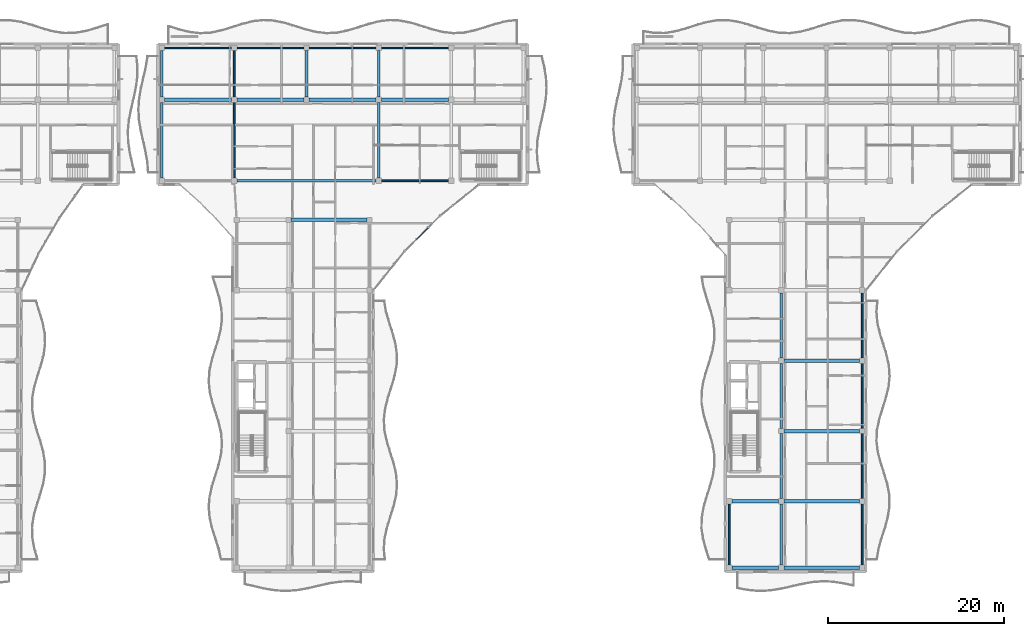
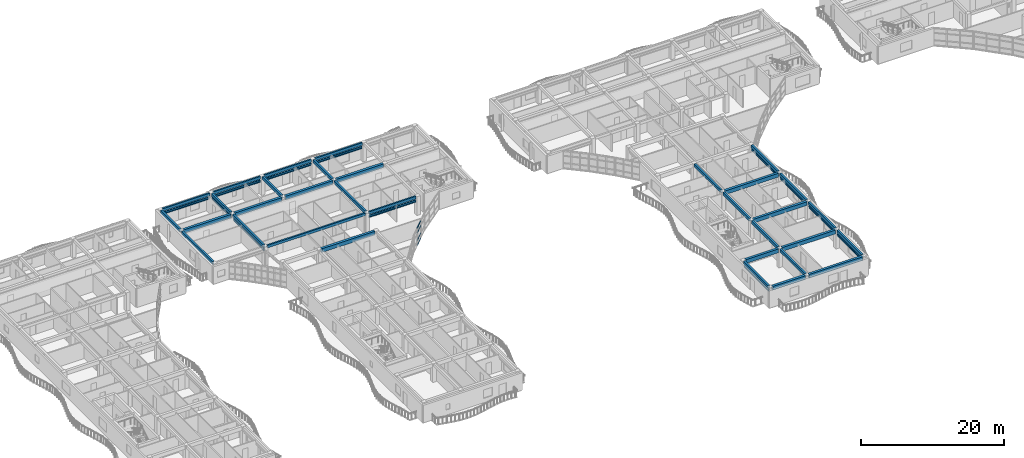
# One storey, part 8 of 76: 33 beams, 28 members, 1 element without a shape of its own.
"""IFC4 building model written with IfcOpenShell, lengths in metres."""

from ifc_helpers import new_model, si_unit, direction, frame, origin, origin_2d, place, context, subcontext, project, spatial, rectangle, hollow_rectangle, extrude, material, layer, layer_set, material_profile, profile_set, type_object, element, aggregate, save


model = new_model("IFC4")

# Units and contexts
model_context = context("Model", 3, precision=1e-05, world=origin(), true_north=direction((0.0, 1.0)))
body_context = subcontext(model_context, "Body", "Model", "MODEL_VIEW")
ifc_project = project(units=[si_unit("LENGTHUNIT", "METRE"), si_unit("AREAUNIT", "SQUARE_METRE"), si_unit("VOLUMEUNIT", "CUBIC_METRE"), si_unit("PLANEANGLEUNIT", "RADIAN"), si_unit("MASSUNIT", "GRAM", prefix="KILO")], contexts=[model_context])

# Site, building, storey
site_placement = place(None, origin())
site = spatial("IfcSite", under=ifc_project, at=site_placement, CompositionType="ELEMENT")
building_placement = place(site_placement, origin())
building = spatial("IfcBuilding", under=site, at=building_placement, Name="Keldmere Railside Commons", CompositionType="ELEMENT")
storey_placement = place(building_placement, frame((0.0, 0.0, 13.760009765625)))
storey = spatial("IfcBuildingStorey", under=building, at=storey_placement, Name="L04", CompositionType="ELEMENT", Elevation=13.760009765625)

# Members
ifc_material_1 = material(Name="Steel F-36 (S355)", Category="steel")
ifc_material_profile_1 = material_profile(ifc_material_1, hollow_rectangle(XDim=0.14990234375, YDim=0.25, WallThickness=0.010009765625, at=origin_2d()), Name="RHS-250x150x10")
ifc_profile_set_1 = profile_set([ifc_material_profile_1], Name="Steel F-36 (S355)")
member_type_1 = type_object("IfcMemberType", Name="Balcony Continuous Planted Trough RHS250x150", PredefinedType="CHORD", material=ifc_profile_set_1)
for number, where, z_axis, x_axis, name in (
    (1, (40.25, 115.550048828125, 2.4150390625), (1.0, 0.0, 0.0), (0.0, 1.0, 0.0), "PLT-1 MEM-BPLT-0473"),
    (2, (48.469970703125, 115.550048828125, 2.4150390625), (1.0, 0.0, 0.0), (0.0, 1.0, 0.0), "PLT-1 MEM-BPLT-0475"),
    (3, (56.68994140625, 115.550048828125, 2.4150390625), (1.0, 0.0, 0.0), (0.0, 1.0, 0.0), "PLT-1 MEM-BPLT-0477"),
    (4, (64.909912109375, 115.550048828125, 2.4150390625), (1.0, 0.0, 0.0), (0.0, 1.0, 0.0), "PLT-1 MEM-BPLT-0479"),
    (5, (64.909912109375, 100.449951171875, 2.4150390625), (1.0, 0.0, 0.0), (0.0, 1.0, 0.0), "PLT-1 MEM-BPLT-0485"),
):
    element("IfcMember", number, at=place(storey_placement, frame(where, z_axis=z_axis, x_axis=x_axis)), inside=storey, type_object=member_type_1, Name=name, PredefinedType="CHORD", context=body_context, shape_type="SweptSolid", body=[
        extrude(hollow_rectangle(XDim=0.14990234375, YDim=0.25, WallThickness=0.010009765625, at=origin_2d()), origin(), (0.0, 0.0, 1.0), 7.6201171875),
    ])
member_1_placement = place(storey_placement, frame((48.169921875, 100.75, 2.4150390625), z_axis=(0.0, 1.0, 0.0), x_axis=(-1.0, 0.0, 0.0)))
element("IfcMember", 6, at=member_1_placement, inside=storey, type_object=member_type_1, Name="PLT-1 MEM-BPLT-0493", PredefinedType="CHORD", context=body_context, shape_type="SweptSolid", body=[
    extrude(hollow_rectangle(XDim=0.14990234375, YDim=0.25, WallThickness=0.010009765625, at=origin_2d()), origin(), (0.0, 0.0, 1.0), 8.60009765625),
])
member_2_placement = place(storey_placement, frame((48.169921875, 109.949951171875, 2.4150390625), z_axis=(0.0, 1.0, 0.0), x_axis=(-1.0, 0.0, 0.0)))
element("IfcMember", 7, at=member_2_placement, inside=storey, type_object=member_type_1, Name="PLT-1 MEM-BPLT-0495", PredefinedType="CHORD", context=body_context, shape_type="SweptSolid", body=[
    extrude(hollow_rectangle(XDim=0.14990234375, YDim=0.25, WallThickness=0.010009765625, at=origin_2d()), origin(), (0.0, 0.0, 1.0), 5.300048828125),
])
for number, where, z_axis, x_axis, name in (
    (8, (104.449951171875, 56.75, 2.4150390625), (0.0, 1.0, 0.0), (-1.0, 0.0, 0.0), "PLT-1 MEM-BPLT-0521"),
    (9, (119.550048828125, 56.75, 2.4150390625), (0.0, 1.0, 0.0), (-1.0, 0.0, 0.0), "PLT-1 MEM-BPLT-0525"),
):
    element("IfcMember", number, at=place(storey_placement, frame(where, z_axis=z_axis, x_axis=x_axis)), inside=storey, type_object=member_type_1, Name=name, PredefinedType="CHORD", context=body_context, shape_type="SweptSolid", body=[
        extrude(hollow_rectangle(XDim=0.14990234375, YDim=0.25, WallThickness=0.010009765625, at=origin_2d()), origin(), (0.0, 0.0, 1.0), 6.949951171875),
    ])
for number, where, z_axis, x_axis, name in (
    (10, (119.550048828125, 64.300048828125, 2.4150390625), (0.0, 1.0, 0.0), (-1.0, 0.0, 0.0), "PLT-1 MEM-BPLT-0527"),
    (11, (119.550048828125, 72.300048828125, 2.4150390625), (0.0, 1.0, 0.0), (-1.0, 0.0, 0.0), "PLT-1 MEM-BPLT-0529"),
    (12, (119.550048828125, 80.300048828125, 2.4150390625), (0.0, 1.0, 0.0), (-1.0, 0.0, 0.0), "PLT-1 MEM-BPLT-0531"),
):
    element("IfcMember", number, at=place(storey_placement, frame(where, z_axis=z_axis, x_axis=x_axis)), inside=storey, type_object=member_type_1, Name=name, PredefinedType="CHORD", context=body_context, shape_type="SweptSolid", body=[
        extrude(hollow_rectangle(XDim=0.14990234375, YDim=0.25, WallThickness=0.010009765625, at=origin_2d()), origin(), (0.0, 0.0, 1.0), 7.39990234375),
    ])

# Beams
ifc_material_2 = material(Name="Architectural Precast Concrete H-35 (C35/45)", Category="concrete")
ifc_material_profile_2 = material_profile(ifc_material_2, rectangle(XDim=0.25, YDim=0.449951171875, at=origin_2d()), Name="RC-250x450")
ifc_profile_set_2 = profile_set([ifc_material_profile_2], Name="Architectural Precast Concrete H-35 (C35/45)")
beam_type_1 = type_object("IfcBeamType", Name="Perimeter Precast Spandrel Beam 250x450", PredefinedType="SPANDREL", material=ifc_profile_set_2)
beam_1_placement = place(storey_placement, frame((48.469970703125, 100.449951171875, 2.97509765625), z_axis=(1.0, 0.0, 0.0), x_axis=(0.0, 1.0, 0.0)))
element("IfcBeam", 13, at=beam_1_placement, inside=storey, type_object=beam_type_1, Name="SPB-1 BM-L04-1556", PredefinedType="SPANDREL", context=body_context, shape_type="SweptSolid", body=[
    extrude(rectangle(XDim=0.25, YDim=0.449951171875, at=origin_2d()), origin(), (0.0, 0.0, 1.0), 15.840087890625),
])
for number, where, z_axis, x_axis, name in (
    (14, (64.909912109375, 100.449951171875, 2.97509765625), (1.0, 0.0, 0.0), (0.0, 1.0, 0.0), "SPB-1 BM-L04-1557"),
    (15, (40.25, 115.550048828125, 2.97509765625), (1.0, 0.0, 0.0), (0.0, 1.0, 0.0), "SPB-1 BM-L04-1586"),
    (16, (48.469970703125, 115.550048828125, 2.97509765625), (1.0, 0.0, 0.0), (0.0, 1.0, 0.0), "SPB-1 BM-L04-1587"),
    (17, (56.68994140625, 115.550048828125, 2.97509765625), (1.0, 0.0, 0.0), (0.0, 1.0, 0.0), "SPB-1 BM-L04-1588"),
    (18, (64.909912109375, 115.550048828125, 2.97509765625), (1.0, 0.0, 0.0), (0.0, 1.0, 0.0), "SPB-1 BM-L04-1589"),
):
    element("IfcBeam", number, at=place(storey_placement, frame(where, z_axis=z_axis, x_axis=x_axis)), inside=storey, type_object=beam_type_1, Name=name, PredefinedType="SPANDREL", context=body_context, shape_type="SweptSolid", body=[
        extrude(rectangle(XDim=0.25, YDim=0.449951171875, at=origin_2d()), origin(), (0.0, 0.0, 1.0), 7.6201171875),
    ])
ifc_material_3 = material(Name="Concrete H-30 (C30/37)", Category="concrete")
ifc_material_profile_3 = material_profile(ifc_material_3, rectangle(XDim=0.39990234375, YDim=0.64990234375, at=origin_2d()), Name="RC-400x650")
ifc_profile_set_3 = profile_set([ifc_material_profile_3], Name="Concrete H-30 (C30/37)")
beam_type_2 = type_object("IfcBeamType", Name="Residential Spine RC Girder 400x650", PredefinedType="BEAM", material=ifc_profile_set_3)
beam_2_placement = place(storey_placement, frame((104.75, 56.449951171875, 2.875), z_axis=(1.0, 0.0, 0.0), x_axis=(0.0, 1.0, 0.0)))
element("IfcBeam", 19, at=beam_2_placement, inside=storey, type_object=beam_type_2, Name="BG-3 BM-L04-1518", PredefinedType="BEAM", context=body_context, shape_type="SweptSolid", body=[
    extrude(rectangle(XDim=0.39990234375, YDim=0.64990234375, at=origin_2d()), origin(), (0.0, 0.0, 1.0), 5.300048828125),
])
beam_3_placement = place(storey_placement, frame((110.64990234375, 56.449951171875, 2.875), z_axis=(1.0, 0.0, 0.0), x_axis=(0.0, 1.0, 0.0)))
element("IfcBeam", 20, at=beam_3_placement, inside=storey, type_object=beam_type_2, Name="BG-3 BM-L04-1519", PredefinedType="BEAM", context=body_context, shape_type="SweptSolid", body=[
    extrude(rectangle(XDim=0.39990234375, YDim=0.64990234375, at=origin_2d()), origin(), (0.0, 0.0, 1.0), 8.60009765625),
])
beam_4_placement = place(storey_placement, frame((104.75, 64.0, 2.875), z_axis=(1.0, 0.0, 0.0), x_axis=(0.0, 1.0, 0.0)))
element("IfcBeam", 21, at=beam_4_placement, inside=storey, type_object=beam_type_2, Name="BG-3 BM-L04-1526", PredefinedType="BEAM", context=body_context, shape_type="SweptSolid", body=[
    extrude(rectangle(XDim=0.39990234375, YDim=0.64990234375, at=origin_2d()), origin(), (0.0, 0.0, 1.0), 5.300048828125),
])
for number, where, z_axis, x_axis, name in (
    (22, (110.64990234375, 64.0, 2.875), (1.0, 0.0, 0.0), (0.0, 1.0, 0.0), "BG-3 BM-L04-1527"),
    (23, (110.64990234375, 72.0, 2.875), (1.0, 0.0, 0.0), (0.0, 1.0, 0.0), "BG-3 BM-L04-1532"),
    (24, (110.64990234375, 80.0, 2.875), (1.0, 0.0, 0.0), (0.0, 1.0, 0.0), "BG-3 BM-L04-1536"),
    (25, (54.64990234375, 96.0, 2.875), (1.0, 0.0, 0.0), (0.0, 1.0, 0.0), "BG-3 BM-L04-1549"),
):
    element("IfcBeam", number, at=place(storey_placement, frame(where, z_axis=z_axis, x_axis=x_axis)), inside=storey, type_object=beam_type_2, Name=name, PredefinedType="BEAM", context=body_context, shape_type="SweptSolid", body=[
        extrude(rectangle(XDim=0.39990234375, YDim=0.64990234375, at=origin_2d()), origin(), (0.0, 0.0, 1.0), 8.60009765625),
    ])
for number, where, z_axis, x_axis, name in (
    (26, (40.25, 109.64990234375, 2.875), (1.0, 0.0, 0.0), (0.0, 1.0, 0.0), "BG-3 BM-L04-1567"),
    (27, (48.469970703125, 109.64990234375, 2.875), (1.0, 0.0, 0.0), (0.0, 1.0, 0.0), "BG-3 BM-L04-1568"),
    (28, (56.68994140625, 109.64990234375, 2.875), (1.0, 0.0, 0.0), (0.0, 1.0, 0.0), "BG-3 BM-L04-1569"),
    (29, (64.909912109375, 109.64990234375, 2.875), (1.0, 0.0, 0.0), (0.0, 1.0, 0.0), "BG-3 BM-L04-1570"),
):
    element("IfcBeam", number, at=place(storey_placement, frame(where, z_axis=z_axis, x_axis=x_axis)), inside=storey, type_object=beam_type_2, Name=name, PredefinedType="BEAM", context=body_context, shape_type="SweptSolid", body=[
        extrude(rectangle(XDim=0.39990234375, YDim=0.64990234375, at=origin_2d()), origin(), (0.0, 0.0, 1.0), 7.6201171875),
    ])
ifc_material_profile_4 = material_profile(ifc_material_3, rectangle(XDim=0.300048828125, YDim=0.5, at=origin_2d()), Name="RC-300x500")
ifc_profile_set_4 = profile_set([ifc_material_profile_4], Name="Concrete H-30 (C30/37)")
beam_type_3 = type_object("IfcBeamType", Name="Secondary Frame RC Beam 300x500", PredefinedType="BEAM", material=ifc_profile_set_4)
beam_5_placement = place(storey_placement, frame((39.949951171875, 100.75, 2.949951171875), z_axis=(0.0, 1.0, 0.0), x_axis=(-1.0, 0.0, 0.0)))
element("IfcBeam", 30, at=beam_5_placement, inside=storey, type_object=beam_type_3, Name="BG-5 BM-L04-1621", PredefinedType="BEAM", context=body_context, shape_type="SweptSolid", body=[
    extrude(rectangle(XDim=0.300048828125, YDim=0.5, at=origin_2d()), origin(), (0.0, 0.0, 1.0), 8.60009765625),
])
beam_6_placement = place(storey_placement, frame((39.949951171875, 109.949951171875, 2.949951171875), z_axis=(0.0, 1.0, 0.0), x_axis=(-1.0, 0.0, 0.0)))
element("IfcBeam", 31, at=beam_6_placement, inside=storey, type_object=beam_type_3, Name="BG-5 BM-L04-1622", PredefinedType="BEAM", context=body_context, shape_type="SweptSolid", body=[
    extrude(rectangle(XDim=0.300048828125, YDim=0.5, at=origin_2d()), origin(), (0.0, 0.0, 1.0), 5.300048828125),
])
beam_7_placement = place(storey_placement, frame((48.169921875, 100.75, 2.949951171875), z_axis=(0.0, 1.0, 0.0), x_axis=(-1.0, 0.0, 0.0)))
element("IfcBeam", 32, at=beam_7_placement, inside=storey, type_object=beam_type_3, Name="BG-5 BM-L04-1623", PredefinedType="BEAM", context=body_context, shape_type="SweptSolid", body=[
    extrude(rectangle(XDim=0.300048828125, YDim=0.5, at=origin_2d()), origin(), (0.0, 0.0, 1.0), 8.60009765625),
])
for number, where, z_axis, x_axis, name in (
    (33, (48.169921875, 109.949951171875, 2.949951171875), (0.0, 1.0, 0.0), (-1.0, 0.0, 0.0), "BG-5 BM-L04-1624"),
    (34, (56.389892578125, 109.949951171875, 2.949951171875), (0.0, 1.0, 0.0), (-1.0, 0.0, 0.0), "BG-5 BM-L04-1632"),
):
    element("IfcBeam", number, at=place(storey_placement, frame(where, z_axis=z_axis, x_axis=x_axis)), inside=storey, type_object=beam_type_3, Name=name, PredefinedType="BEAM", context=body_context, shape_type="SweptSolid", body=[
        extrude(rectangle(XDim=0.300048828125, YDim=0.5, at=origin_2d()), origin(), (0.0, 0.0, 1.0), 5.300048828125),
    ])
beam_8_placement = place(storey_placement, frame((64.610107421875, 100.75, 2.949951171875), z_axis=(0.0, 1.0, 0.0), x_axis=(-1.0, 0.0, 0.0)))
element("IfcBeam", 35, at=beam_8_placement, inside=storey, type_object=beam_type_3, Name="BG-5 BM-L04-1638", PredefinedType="BEAM", context=body_context, shape_type="SweptSolid", body=[
    extrude(rectangle(XDim=0.300048828125, YDim=0.5, at=origin_2d()), origin(), (0.0, 0.0, 1.0), 8.60009765625),
])
beam_9_placement = place(storey_placement, frame((64.610107421875, 109.949951171875, 2.949951171875), z_axis=(0.0, 1.0, 0.0), x_axis=(-1.0, 0.0, 0.0)))
element("IfcBeam", 36, at=beam_9_placement, inside=storey, type_object=beam_type_3, Name="BG-5 BM-L04-1639", PredefinedType="BEAM", context=body_context, shape_type="SweptSolid", body=[
    extrude(rectangle(XDim=0.300048828125, YDim=0.5, at=origin_2d()), origin(), (0.0, 0.0, 1.0), 5.300048828125),
])
for number, where, z_axis, x_axis, name in (
    (37, (104.449951171875, 56.75, 2.949951171875), (0.0, 1.0, 0.0), (-1.0, 0.0, 0.0), "BG-5 BM-L04-1647"),
    (38, (110.35009765625, 56.75, 2.949951171875), (0.0, 1.0, 0.0), (-1.0, 0.0, 0.0), "BG-5 BM-L04-1651"),
):
    element("IfcBeam", number, at=place(storey_placement, frame(where, z_axis=z_axis, x_axis=x_axis)), inside=storey, type_object=beam_type_3, Name=name, PredefinedType="BEAM", context=body_context, shape_type="SweptSolid", body=[
        extrude(rectangle(XDim=0.300048828125, YDim=0.5, at=origin_2d()), origin(), (0.0, 0.0, 1.0), 6.949951171875),
    ])
for number, where, z_axis, x_axis, name in (
    (39, (110.35009765625, 64.300048828125, 2.949951171875), (0.0, 1.0, 0.0), (-1.0, 0.0, 0.0), "BG-5 BM-L04-1652"),
    (40, (110.35009765625, 72.300048828125, 2.949951171875), (0.0, 1.0, 0.0), (-1.0, 0.0, 0.0), "BG-5 BM-L04-1653"),
    (41, (110.35009765625, 80.300048828125, 2.949951171875), (0.0, 1.0, 0.0), (-1.0, 0.0, 0.0), "BG-5 BM-L04-1654"),
):
    element("IfcBeam", number, at=place(storey_placement, frame(where, z_axis=z_axis, x_axis=x_axis)), inside=storey, type_object=beam_type_3, Name=name, PredefinedType="BEAM", context=body_context, shape_type="SweptSolid", body=[
        extrude(rectangle(XDim=0.300048828125, YDim=0.5, at=origin_2d()), origin(), (0.0, 0.0, 1.0), 7.39990234375),
    ])
beam_10_placement = place(storey_placement, frame((119.550048828125, 56.75, 2.949951171875), z_axis=(0.0, 1.0, 0.0), x_axis=(-1.0, 0.0, 0.0)))
element("IfcBeam", 42, at=beam_10_placement, inside=storey, type_object=beam_type_3, Name="BG-5 BM-L04-1658", PredefinedType="BEAM", context=body_context, shape_type="SweptSolid", body=[
    extrude(rectangle(XDim=0.300048828125, YDim=0.5, at=origin_2d()), origin(), (0.0, 0.0, 1.0), 6.949951171875),
])
for number, where, z_axis, x_axis, name in (
    (43, (119.550048828125, 64.300048828125, 2.949951171875), (0.0, 1.0, 0.0), (-1.0, 0.0, 0.0), "BG-5 BM-L04-1659"),
    (44, (119.550048828125, 72.300048828125, 2.949951171875), (0.0, 1.0, 0.0), (-1.0, 0.0, 0.0), "BG-5 BM-L04-1660"),
    (45, (119.550048828125, 80.300048828125, 2.949951171875), (0.0, 1.0, 0.0), (-1.0, 0.0, 0.0), "BG-5 BM-L04-1661"),
):
    element("IfcBeam", number, at=place(storey_placement, frame(where, z_axis=z_axis, x_axis=x_axis)), inside=storey, type_object=beam_type_3, Name=name, PredefinedType="BEAM", context=body_context, shape_type="SweptSolid", body=[
        extrude(rectangle(XDim=0.300048828125, YDim=0.5, at=origin_2d()), origin(), (0.0, 0.0, 1.0), 7.39990234375),
    ])

# Members
ifc_material_profile_5 = material_profile(ifc_material_1, hollow_rectangle(XDim=0.10009765625, YDim=0.159912109375, WallThickness=0.008056640625, at=origin_2d()), Name="RHS-160x100x8")
ifc_profile_set_5 = profile_set([ifc_material_profile_5], Name="Steel F-36 (S355)")
member_type_2 = type_object("IfcMemberType", Name="Solar Brise-Soleil Louvre Fin RHS160x100", PredefinedType="STRUT", material=ifc_profile_set_5)
for number, where, z_axis, x_axis, name in (
    (46, (40.25, 115.550048828125, 2.199951171875), (1.0, 0.0, 0.0), (0.0, 1.0, 0.0), "BSF-1 MEM-BSF-0474"),
    (47, (48.469970703125, 115.550048828125, 2.199951171875), (1.0, 0.0, 0.0), (0.0, 1.0, 0.0), "BSF-1 MEM-BSF-0476"),
    (48, (56.68994140625, 115.550048828125, 2.199951171875), (1.0, 0.0, 0.0), (0.0, 1.0, 0.0), "BSF-1 MEM-BSF-0478"),
    (49, (64.909912109375, 115.550048828125, 2.199951171875), (1.0, 0.0, 0.0), (0.0, 1.0, 0.0), "BSF-1 MEM-BSF-0480"),
    (50, (64.909912109375, 100.449951171875, 2.199951171875), (1.0, 0.0, 0.0), (0.0, 1.0, 0.0), "BSF-1 MEM-BSF-0486"),
):
    element("IfcMember", number, at=place(storey_placement, frame(where, z_axis=z_axis, x_axis=x_axis)), inside=storey, type_object=member_type_2, Name=name, PredefinedType="STRUT", context=body_context, shape_type="SweptSolid", body=[
        extrude(hollow_rectangle(XDim=0.10009765625, YDim=0.159912109375, WallThickness=0.008056640625, at=origin_2d()), origin(), (0.0, 0.0, 1.0), 7.6201171875),
    ])
member_3_placement = place(storey_placement, frame((48.169921875, 100.75, 2.199951171875), z_axis=(0.0, 1.0, 0.0), x_axis=(-1.0, 0.0, 0.0)))
element("IfcMember", 51, at=member_3_placement, inside=storey, type_object=member_type_2, Name="BSF-1 MEM-BSF-0494", PredefinedType="STRUT", context=body_context, shape_type="SweptSolid", body=[
    extrude(hollow_rectangle(XDim=0.10009765625, YDim=0.159912109375, WallThickness=0.008056640625, at=origin_2d()), origin(), (0.0, 0.0, 1.0), 8.60009765625),
])
member_4_placement = place(storey_placement, frame((48.169921875, 109.949951171875, 2.199951171875), z_axis=(0.0, 1.0, 0.0), x_axis=(-1.0, 0.0, 0.0)))
element("IfcMember", 52, at=member_4_placement, inside=storey, type_object=member_type_2, Name="BSF-1 MEM-BSF-0496", PredefinedType="STRUT", context=body_context, shape_type="SweptSolid", body=[
    extrude(hollow_rectangle(XDim=0.10009765625, YDim=0.159912109375, WallThickness=0.008056640625, at=origin_2d()), origin(), (0.0, 0.0, 1.0), 5.300048828125),
])
for number, where, z_axis, x_axis, name in (
    (53, (104.449951171875, 56.75, 2.199951171875), (0.0, 1.0, 0.0), (-1.0, 0.0, 0.0), "BSF-1 MEM-BSF-0522"),
    (54, (119.550048828125, 56.75, 2.199951171875), (0.0, 1.0, 0.0), (-1.0, 0.0, 0.0), "BSF-1 MEM-BSF-0526"),
):
    element("IfcMember", number, at=place(storey_placement, frame(where, z_axis=z_axis, x_axis=x_axis)), inside=storey, type_object=member_type_2, Name=name, PredefinedType="STRUT", context=body_context, shape_type="SweptSolid", body=[
        extrude(hollow_rectangle(XDim=0.10009765625, YDim=0.159912109375, WallThickness=0.008056640625, at=origin_2d()), origin(), (0.0, 0.0, 1.0), 6.949951171875),
    ])
for number, where, z_axis, x_axis, name in (
    (55, (119.550048828125, 64.300048828125, 2.199951171875), (0.0, 1.0, 0.0), (-1.0, 0.0, 0.0), "BSF-1 MEM-BSF-0528"),
    (56, (119.550048828125, 72.300048828125, 2.199951171875), (0.0, 1.0, 0.0), (-1.0, 0.0, 0.0), "BSF-1 MEM-BSF-0530"),
    (57, (119.550048828125, 80.300048828125, 2.199951171875), (0.0, 1.0, 0.0), (-1.0, 0.0, 0.0), "BSF-1 MEM-BSF-0532"),
):
    element("IfcMember", number, at=place(storey_placement, frame(where, z_axis=z_axis, x_axis=x_axis)), inside=storey, type_object=member_type_2, Name=name, PredefinedType="STRUT", context=body_context, shape_type="SweptSolid", body=[
        extrude(hollow_rectangle(XDim=0.10009765625, YDim=0.159912109375, WallThickness=0.008056640625, at=origin_2d()), origin(), (0.0, 0.0, 1.0), 7.39990234375),
    ])

# Curtain wall, members
ifc_material_4 = material(Name="Thermally Broken Aluminium", Category="aluminium")
ifc_layer = layer(ifc_material_4, 0.159912109375, Name="Court Chord Wintergarden CW 5400x2850")
ifc_layer_set = layer_set([ifc_layer], Name="Thermally Broken Aluminium")
curtain_wall_type = type_object("IfcCurtainWallType", Name="Court Chord Wintergarden CW 5400x2850", PredefinedType="NOTDEFINED", material=ifc_layer_set)
curtain_wall_placement = place(storey_placement, origin())
curtain_wall = element("IfcCurtainWall", 58, at=curtain_wall_placement, inside=storey, type_object=curtain_wall_type, Name="CW-13 CW-L04-050", PredefinedType="NOTDEFINED")
ifc_material_profile_6 = material_profile(ifc_material_4, hollow_rectangle(XDim=0.06494140625, YDim=0.1201171875, WallThickness=0.00390625, at=origin_2d()), Name="ALU-TRAN-65x120")
ifc_profile_set_6 = profile_set([ifc_material_profile_6], Name="Thermally Broken Aluminium")
member_type_3 = type_object("IfcMemberType", Name="Unitised Curtain Wall Transom 65x120", PredefinedType="USERDEFINED", material=ifc_profile_set_6)
member_5_placement = place(storey_placement, frame((70.208251953125, 95.08447265625, 0.032470703125), z_axis=(-0.707106781187, -0.707106781187, 0.0), x_axis=(0.707106781187, -0.707106781187, 0.0)))
member_5 = element("IfcMember", 59, at=member_5_placement, type_object=member_type_3, Name="CW-13 transom 2.1", ObjectType="TRANSOM", PredefinedType="USERDEFINED", context=body_context, shape_type="SweptSolid", body=[
    extrude(hollow_rectangle(XDim=0.06494140625, YDim=0.1201171875, WallThickness=0.00390625, at=origin_2d()), origin(), (0.0, 0.0, 1.0), 1.828125),
])
member_6_placement = place(storey_placement, frame((70.208251953125, 95.08447265625, 0.89990234375), z_axis=(-0.707106781187, -0.707106781187, 0.0), x_axis=(0.707106781187, -0.707106781187, 0.0)))
member_6 = element("IfcMember", 60, at=member_6_placement, type_object=member_type_3, Name="CW-13 transom 2.2", ObjectType="TRANSOM", PredefinedType="USERDEFINED", context=body_context, shape_type="SweptSolid", body=[
    extrude(hollow_rectangle(XDim=0.06494140625, YDim=0.1201171875, WallThickness=0.00390625, at=origin_2d()), origin(), (0.0, 0.0, 1.0), 1.828125),
])
member_7_placement = place(storey_placement, frame((70.208251953125, 95.08447265625, 2.14990234375), z_axis=(-0.707106781187, -0.707106781187, 0.0), x_axis=(0.707106781187, -0.707106781187, 0.0)))
member_7 = element("IfcMember", 61, at=member_7_placement, type_object=member_type_3, Name="CW-13 transom 2.3", ObjectType="TRANSOM", PredefinedType="USERDEFINED", context=body_context, shape_type="SweptSolid", body=[
    extrude(hollow_rectangle(XDim=0.06494140625, YDim=0.1201171875, WallThickness=0.00390625, at=origin_2d()), origin(), (0.0, 0.0, 1.0), 1.828125),
])
member_8_placement = place(storey_placement, frame((70.208251953125, 95.08447265625, 2.947509765625), z_axis=(-0.707106781187, -0.707106781187, 0.0), x_axis=(0.707106781187, -0.707106781187, 0.0)))
member_8 = element("IfcMember", 62, at=member_8_placement, type_object=member_type_3, Name="CW-13 transom 2.4", ObjectType="TRANSOM", PredefinedType="USERDEFINED", context=body_context, shape_type="SweptSolid", body=[
    extrude(hollow_rectangle(XDim=0.06494140625, YDim=0.1201171875, WallThickness=0.00390625, at=origin_2d()), origin(), (0.0, 0.0, 1.0), 1.828125),
])
aggregate(curtain_wall, [member_5, member_6, member_7, member_8])

save(model, "model.ifc")
